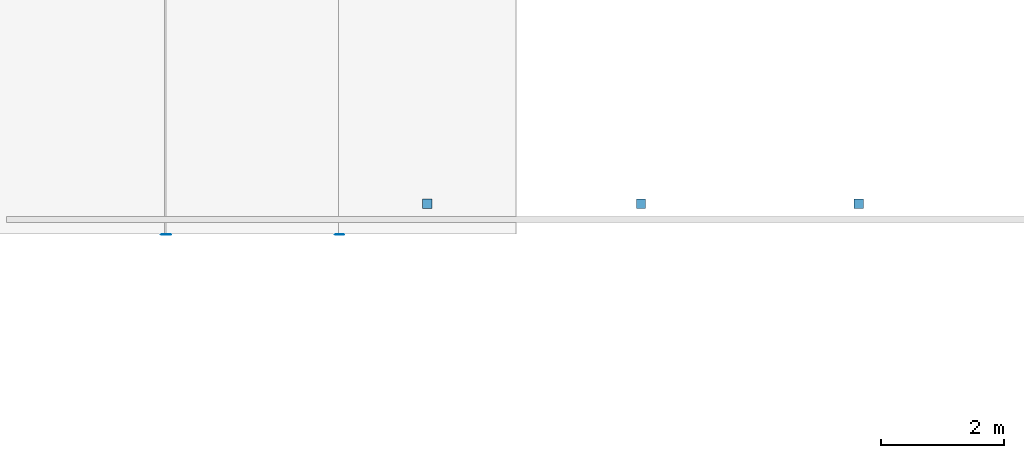
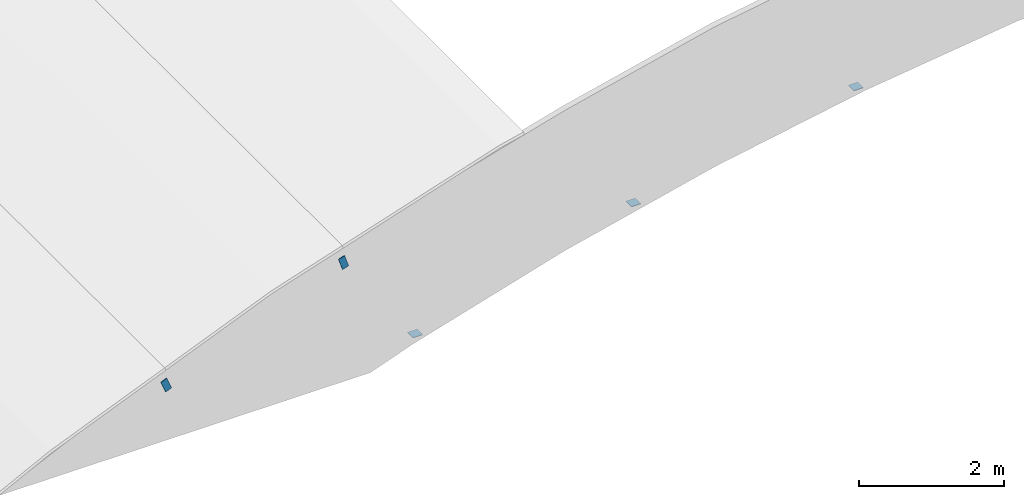
# One storey, part 2 of 17: 5 discrete accessories.
"""IFC4 building model written with IfcOpenShell, lengths in metres."""

from ifc_helpers import new_model, si_unit, direction, frame, origin, origin_2d, place, context, subcontext, project, spatial, rectangle, extrude, material, material_profile, profile_set, type_object, element, save


model = new_model("IFC4")

# Units and contexts
model_context = context("Model", 3, precision=1e-05, world=origin(), true_north=direction((0.0, 1.0)))
body_context = subcontext(model_context, "Body", "Model", "MODEL_VIEW")
ifc_project = project(units=[si_unit("LENGTHUNIT", "METRE"), si_unit("AREAUNIT", "SQUARE_METRE"), si_unit("VOLUMEUNIT", "CUBIC_METRE"), si_unit("PLANEANGLEUNIT", "RADIAN"), si_unit("MASSUNIT", "GRAM", prefix="KILO")], contexts=[model_context])

# Site, building, storey
site_placement = place(None, origin())
site = spatial("IfcSite", under=ifc_project, at=site_placement, CompositionType="ELEMENT")
building_placement = place(site_placement, origin())
building = spatial("IfcBuilding", under=site, at=building_placement, Name="Verrick Yard Athletic Hall", CompositionType="ELEMENT")
storey_placement = place(building_placement, frame((0.0, 0.0, 18.199951171875)))
storey = spatial("IfcBuildingStorey", under=building, at=storey_placement, Name="Roof", CompositionType="ELEMENT", Elevation=18.199951171875)

# Discrete accessories
ifc_material = material(Name="Structural steel 350W (CSA G40.21)", Category="steel")
ifc_material_profile_1 = material_profile(ifc_material, rectangle(XDim=0.1015625, YDim=0.203125, at=origin_2d()), Name="STR End cap plate 203x102x9.5")
ifc_profile_set_1 = profile_set([ifc_material_profile_1], Name="Structural steel 350W (CSA G40.21)")
discrete_accessory_type_1 = type_object("IfcDiscreteAccessoryType", Name="STR End cap plate 203x102x9.5", PredefinedType="BRACKET", material=ifc_profile_set_1)
for number, where, z_axis, x_axis, name in (
    (1, (33.56201171875, 71.989990234375, 1.082275390625), (0.0, 1.0, 0.0), (-0.924122791552, 0.0, -0.382095624331), "End cap HB-PU-B-1-3 A"),
    (2, (36.380859375, 71.989990234375, 2.154541015625), (0.0, 1.0, 0.0), (-0.951213620533, 0.0, -0.308533058379), "End cap HB-PU-B-1-4 A"),
):
    element("IfcDiscreteAccessory", number, at=place(storey_placement, frame(where, z_axis=z_axis, x_axis=x_axis)), inside=storey, type_object=discrete_accessory_type_1, Name=name, PredefinedType="BRACKET", context=body_context, shape_type="SweptSolid", body=[
        extrude(rectangle(XDim=0.1015625, YDim=0.203125, at=origin_2d()), origin(), (0.0, 0.0, 1.0), 0.010009765625),
    ])
ifc_material_profile_2 = material_profile(ifc_material, rectangle(XDim=0.15234375, YDim=0.15234375, at=origin_2d()), Name="STR End cap plate 152x152x9.5")
ifc_profile_set_2 = profile_set([ifc_material_profile_2], Name="Structural steel 350W (CSA G40.21)")
discrete_accessory_type_2 = type_object("IfcDiscreteAccessoryType", Name="STR End cap plate 152x152x9.5", PredefinedType="BRACKET", material=ifc_profile_set_2)
for number, where, z_axis, x_axis, name in (
    (3, (44.815673828125, 72.49462890625, 1.84814453125), (0.0, 0.0, 1.0), (1.0, 0.0, 0.0), "End cap HB-GP-BS-5 B"),
    (4, (41.278564453125, 72.49462890625, 1.136962890625), (0.0, 0.0, 1.0), (1.0, 0.0, 0.0), "End cap HB-GP-BS-4 B"),
    (5, (37.807373046875, 72.49462890625, 0.149658203125), (0.0, 0.0, 1.0), (1.0, 0.0, 0.0), "End cap HB-GP-BS-3 B"),
):
    element("IfcDiscreteAccessory", number, at=place(storey_placement, frame(where, z_axis=z_axis, x_axis=x_axis)), inside=storey, type_object=discrete_accessory_type_2, Name=name, PredefinedType="BRACKET", context=body_context, shape_type="SweptSolid", body=[
        extrude(rectangle(XDim=0.15234375, YDim=0.15234375, at=origin_2d()), origin(), (0.0, 0.0, 1.0), 0.010009765625),
    ])

save(model, "model.ifc")
